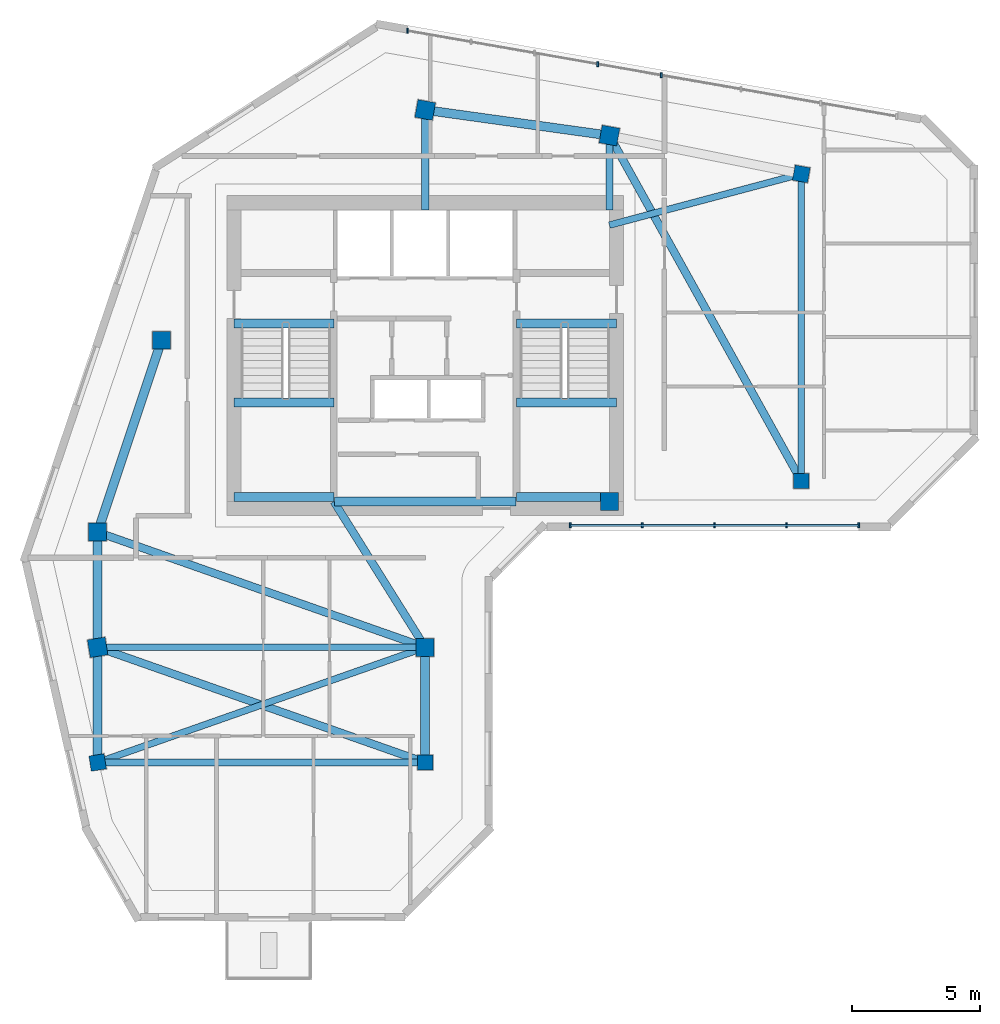
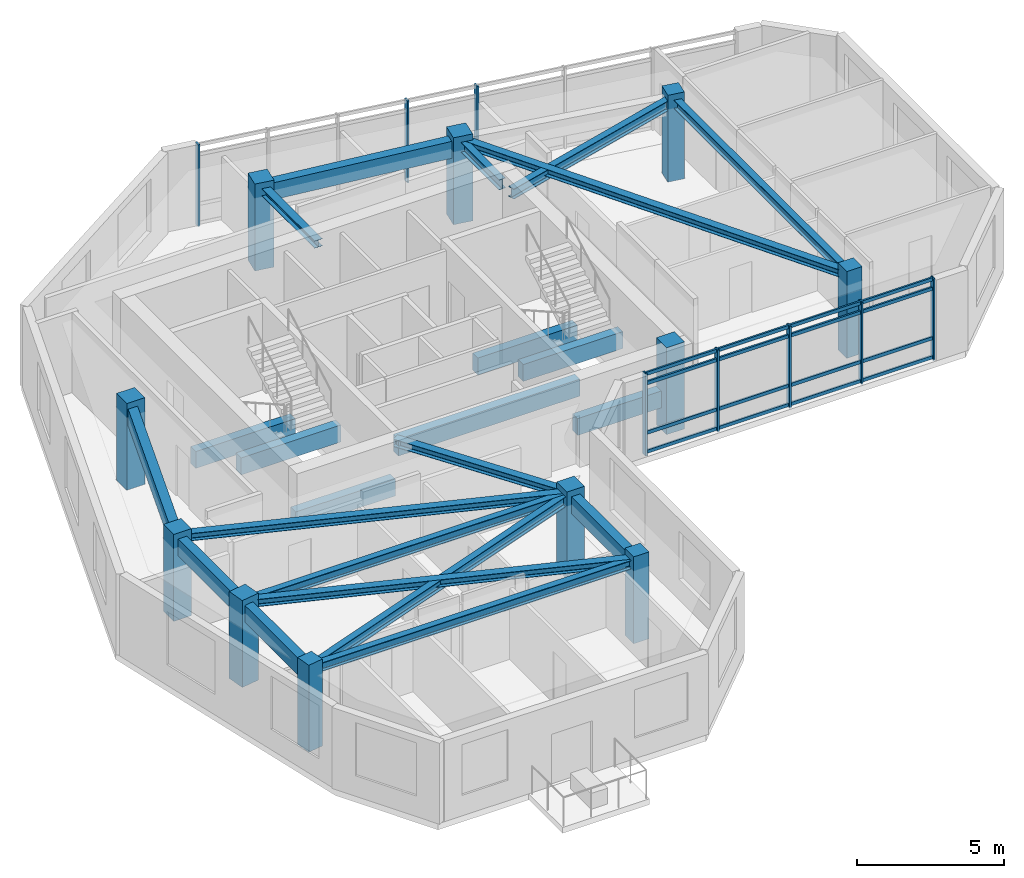
# One storey, part 1 of 10: 23 beams, 12 members, 11 columns, 2 elements without a shape of their own.
"""IFC4 building model written with IfcOpenShell, lengths in metres."""

from ifc_helpers import new_model, si_unit, direction, frame, origin, origin_2d, place, context, subcontext, project, spatial, rectangle, i_section, extrude, source, transform, mapped, material, material_profile, profile_set, type_object, element, aggregate, save


model = new_model("IFC4")

# Units and contexts
model_context = context("Model", 3, precision=1e-05, world=origin(), true_north=direction((0.0, 1.0)))
body_context = subcontext(model_context, "Body", "Model", "MODEL_VIEW")
ifc_project = project(units=[si_unit("LENGTHUNIT", "METRE"), si_unit("AREAUNIT", "SQUARE_METRE"), si_unit("VOLUMEUNIT", "CUBIC_METRE"), si_unit("PLANEANGLEUNIT", "RADIAN"), si_unit("MASSUNIT", "GRAM", prefix="KILO")], contexts=[model_context])

# Site, building, storey
site_placement = place(None, origin())
site = spatial("IfcSite", under=ifc_project, at=site_placement, CompositionType="ELEMENT")
building_placement = place(site_placement, origin())
building = spatial("IfcBuilding", under=site, at=building_placement, Name="Calvemar Wedge Station Tower", CompositionType="ELEMENT")
storey_placement = place(building_placement, frame((0.0, 0.0, 256.5)))
storey = spatial("IfcBuildingStorey", under=building, at=storey_placement, Name="L65", CompositionType="ELEMENT", Elevation=256.5)

# Columns
ifc_material_1 = material(Name="Concrete C50", Category="concrete")
ifc_material_profile_1 = material_profile(ifc_material_1, rectangle(XDim=0.699951171875, YDim=0.699951171875, at=origin_2d()), Name="RC700x700")
ifc_profile_set_1 = profile_set([ifc_material_profile_1], Name="Concrete C50")
column_type_1 = type_object("IfcColumnType", Name="COL-C7-700", PredefinedType="COLUMN", material=ifc_profile_set_1)
shared_shape_1 = source(origin(), body_context, "Body", "SweptSolid", [
    extrude(rectangle(XDim=0.699951171875, YDim=0.699951171875, at=origin_2d()), origin(), (0.0, 0.0, 1.0), 3.60009765625),
])
for number, where, z_axis, x_axis, name in (
    (1, (11.0, 33.0, 0.0), (0.0, 0.0, 1.0), (1.0, 0.0, 0.0), "Storey L65 Column T-NW1"),
    (2, (13.5, 40.5, 0.0), (0.0, 0.0, 1.0), (1.0, 0.0, 0.0), "Storey L65 Column T-NW2"),
    (3, (23.800048828125, 49.5, 0.0), (0.0, 0.0, 1.0), (0.984195607969, -0.17708474032, 0.0), "Storey L65 Column T-N1"),
    (4, (31.0, 48.5, 0.0), (0.0, 0.0, 1.0), (0.984195607969, -0.17708474032, 0.0), "Storey L65 Column T-N2"),
    (5, (31.0, 34.199951171875, 0.0), (0.0, 0.0, 1.0), (1.0, 0.0, 0.0), "Storey L65 Column T-NL1"),
    (6, (11.0, 28.5, 0.0), (0.0, 0.0, 1.0), (0.158158067254, -0.987413806751, 0.0), "Storey L65 Column T-SW1"),
    (7, (23.800048828125, 28.5, 0.0), (0.0, 0.0, 1.0), (1.0, 0.0, 0.0), "Storey L65 Column T-SE1"),
):
    element("IfcColumn", number, at=place(storey_placement, frame(where, z_axis=z_axis, x_axis=x_axis)), inside=storey, type_object=column_type_1, Name=name, PredefinedType="COLUMN", context=body_context, shape_type="MappedRepresentation", body=[
        mapped(shared_shape_1, transform((0.0, 0.0, 0.0), scale=1.0)),
    ])
ifc_material_profile_2 = material_profile(ifc_material_1, rectangle(XDim=0.60009765625, YDim=0.60009765625, at=origin_2d()), Name="RC600x600")
ifc_profile_set_2 = profile_set([ifc_material_profile_2], Name="Concrete C50")
column_type_2 = type_object("IfcColumnType", Name="COL-C8-600", PredefinedType="COLUMN", material=ifc_profile_set_2)
shared_shape_2 = source(origin(), body_context, "Body", "SweptSolid", [
    extrude(rectangle(XDim=0.60009765625, YDim=0.60009765625, at=origin_2d()), origin(), (0.0, 0.0, 1.0), 3.60009765625),
])
for number, where, z_axis, x_axis, name in (
    (8, (38.5, 47.0, 0.0), (0.0, 0.0, 1.0), (0.984195607969, -0.17708474032, 0.0), "Storey L65 Column T-NU3"),
    (9, (38.5, 35.0, 0.0), (0.0, 0.0, 1.0), (1.0, 0.0, 0.0), "Storey L65 Column T-NL2"),
    (10, (11.0, 24.0, 0.0), (0.0, 0.0, 1.0), (0.158158067254, -0.987413806751, 0.0), "Storey L65 Column T-SW2"),
    (11, (23.800048828125, 24.0, 0.0), (0.0, 0.0, 1.0), (1.0, 0.0, 0.0), "Storey L65 Column T-SE2"),
):
    element("IfcColumn", number, at=place(storey_placement, frame(where, z_axis=z_axis, x_axis=x_axis)), inside=storey, type_object=column_type_2, Name=name, PredefinedType="COLUMN", context=body_context, shape_type="MappedRepresentation", body=[
        mapped(shared_shape_2, transform((0.0, 0.0, 0.0), scale=1.0)),
    ])

# Beams
ifc_material_2 = material(Name="Concrete C70", Category="concrete")
ifc_material_profile_3 = material_profile(ifc_material_2, rectangle(XDim=0.35009765625, YDim=0.699951171875, at=origin_2d()), Name="RC350x700")
ifc_profile_set_3 = profile_set([ifc_material_profile_3], Name="Concrete C70")
beam_type_1 = type_object("IfcBeamType", Name="BM-LN1-700", PredefinedType="LINTEL", material=ifc_profile_set_3)
shared_shape_3 = source(origin(), body_context, "Body", "SweptSolid", [
    extrude(rectangle(XDim=0.35009765625, YDim=0.699951171875, at=origin_2d()), origin(), (0.0, 0.0, 1.0), 7.10009765625),
])
beam_1_placement = place(storey_placement, frame((20.25, 34.199951171875, 3.0), z_axis=(1.0, 0.0, 0.0), x_axis=(0.0, 1.0, 0.0)))
element("IfcBeam", 12, at=beam_1_placement, inside=storey, type_object=beam_type_1, Name="Storey L65 Core Coupling Lintel South", PredefinedType="LINTEL", context=body_context, shape_type="MappedRepresentation", body=[
    mapped(shared_shape_3, transform((0.0, 0.0, 0.0), scale=1.0)),
])
ifc_material_3 = material(Name="Structural steel ASTM A572 Grade 50", Category="steel")
ifc_material_profile_4 = material_profile(ifc_material_3, i_section(OverallWidth=0.304931640625, OverallDepth=0.30810546875, WebThickness=0.010009765625, FlangeThickness=0.015380859375, FilletRadius=0.014892578125, at=origin_2d()), Name="W310x97")
ifc_profile_set_4 = profile_set([ifc_material_profile_4], Name="Structural steel ASTM A572 Grade 50")
beam_type_2 = type_object("IfcBeamType", Name="BM-J6-W310", PredefinedType="JOIST", material=ifc_profile_set_4)
shared_shape_4 = source(origin(), body_context, "Body", "SweptSolid", [
    extrude(i_section(OverallWidth=0.304931640625, OverallDepth=0.30810546875, WebThickness=0.010009765625, FlangeThickness=0.015380859375, FilletRadius=0.014892578125, at=origin_2d()), origin(), (0.0, 0.0, 1.0), 15.443359375),
])
beam_2_placement = place(storey_placement, frame((31.0, 48.5, 3.196044921875), z_axis=(0.485642931179, -0.874157276122, 0.0), x_axis=(0.874157276122, 0.485642931179, 0.0)))
element("IfcBeam", 13, at=beam_2_placement, inside=storey, type_object=beam_type_2, Name="Storey L65 Floor Beam T-N2-T-NL2", PredefinedType="JOIST", context=body_context, shape_type="MappedRepresentation", body=[
    mapped(shared_shape_4, transform((0.0, 0.0, 0.0), scale=1.0)),
])
shared_shape_5 = source(origin(), body_context, "Body", "SweptSolid", [
    extrude(i_section(OverallWidth=0.304931640625, OverallDepth=0.30810546875, WebThickness=0.010009765625, FlangeThickness=0.015380859375, FilletRadius=0.014892578125, at=origin_2d()), origin(), (0.0, 0.0, 1.0), 13.568115234375),
])
for number, where, z_axis, x_axis, name in (
    (14, (11.0, 33.0, 3.196044921875), (0.943398221169, -0.331662171939, 0.0), (0.331662171939, 0.943398221169, 0.0), "Storey L65 Floor Beam T-NW1-T-SE1"),
    (15, (11.0, 28.5, 3.196044921875), (0.943398221169, -0.331662171939, 0.0), (0.331662171939, 0.943398221169, 0.0), "Storey L65 Floor Beam T-SW1-T-SE2"),
):
    element("IfcBeam", number, at=place(storey_placement, frame(where, z_axis=z_axis, x_axis=x_axis)), inside=storey, type_object=beam_type_2, Name=name, PredefinedType="JOIST", context=body_context, shape_type="MappedRepresentation", body=[
        mapped(shared_shape_5, transform((0.0, 0.0, 0.0), scale=1.0)),
    ])
ifc_material_profile_5 = material_profile(ifc_material_3, i_section(OverallWidth=0.260986328125, OverallDepth=0.419921875, WebThickness=0.01171875, FlangeThickness=0.019287109375, FilletRadius=0.012939453125, at=origin_2d()), Name="W410x114")
ifc_profile_set_5 = profile_set([ifc_material_profile_5], Name="Structural steel ASTM A572 Grade 50")
beam_type_3 = type_object("IfcBeamType", Name="BM-J2-W410H", PredefinedType="JOIST", material=ifc_profile_set_5)
shared_shape_6 = source(origin(), body_context, "Body", "SweptSolid", [
    extrude(i_section(OverallWidth=0.260986328125, OverallDepth=0.419921875, WebThickness=0.01171875, FlangeThickness=0.019287109375, FilletRadius=0.012939453125, at=origin_2d()), origin(), (0.0, 0.0, 1.0), 13.568115234375),
])
beam_3_placement = place(storey_placement, frame((23.800048828125, 28.5, 3.139892578125), z_axis=(-0.943398221169, -0.331662171939, 0.0), x_axis=(0.331662171939, -0.943398221169, 0.0)))
element("IfcBeam", 16, at=beam_3_placement, inside=storey, type_object=beam_type_3, Name="Storey L65 Floor Beam T-SE1-T-SW2", PredefinedType="JOIST", context=body_context, shape_type="MappedRepresentation", body=[
    mapped(shared_shape_6, transform((0.0, 0.0, 0.0), scale=1.0)),
])
shared_shape_7 = source(origin(), body_context, "Body", "SweptSolid", [
    extrude(i_section(OverallWidth=0.260986328125, OverallDepth=0.419921875, WebThickness=0.01171875, FlangeThickness=0.019287109375, FilletRadius=0.012939453125, at=origin_2d()), origin(), (0.0, 0.0, 1.0), 7.76220703125),
])
beam_4_placement = place(storey_placement, frame((31.0, 45.0, 3.139892578125), z_axis=(0.966234939601, 0.25766265056, 0.0), x_axis=(-0.25766265056, 0.966234939601, 0.0)))
element("IfcBeam", 17, at=beam_4_placement, inside=storey, type_object=beam_type_3, Name="Storey L65 Core-to-Column Joist CJ-E2", PredefinedType="JOIST", context=body_context, shape_type="MappedRepresentation", body=[
    mapped(shared_shape_7, transform((0.0, 0.0, 0.0), scale=1.0)),
])
shared_shape_8 = source(origin(), body_context, "Body", "SweptSolid", [
    extrude(i_section(OverallWidth=0.304931640625, OverallDepth=0.30810546875, WebThickness=0.010009765625, FlangeThickness=0.015380859375, FilletRadius=0.014892578125, at=origin_2d()), origin(), (0.0, 0.0, 1.0), 3.89990234375),
])
beam_5_placement = place(storey_placement, frame((23.800048828125, 45.60009765625, 3.196044921875), z_axis=(0.0, 1.0, 0.0), x_axis=(-1.0, 0.0, 0.0)))
element("IfcBeam", 18, at=beam_5_placement, inside=storey, type_object=beam_type_2, Name="Storey L65 Core-to-Column Joist CJ-N1", PredefinedType="JOIST", context=body_context, shape_type="MappedRepresentation", body=[
    mapped(shared_shape_8, transform((0.0, 0.0, 0.0), scale=1.0)),
])
shared_shape_9 = source(origin(), body_context, "Body", "SweptSolid", [
    extrude(i_section(OverallWidth=0.260986328125, OverallDepth=0.419921875, WebThickness=0.01171875, FlangeThickness=0.019287109375, FilletRadius=0.012939453125, at=origin_2d()), origin(), (0.0, 0.0, 1.0), 2.89990234375),
])
beam_6_placement = place(storey_placement, frame((31.0, 45.60009765625, 3.139892578125), z_axis=(0.0, 1.0, 0.0), x_axis=(-1.0, 0.0, 0.0)))
element("IfcBeam", 19, at=beam_6_placement, inside=storey, type_object=beam_type_3, Name="Storey L65 Core-to-Column Joist CJ-N2", PredefinedType="JOIST", context=body_context, shape_type="MappedRepresentation", body=[
    mapped(shared_shape_9, transform((0.0, 0.0, 0.0), scale=1.0)),
])
shared_shape_10 = source(origin(), body_context, "Body", "SweptSolid", [
    extrude(i_section(OverallWidth=0.304931640625, OverallDepth=0.30810546875, WebThickness=0.010009765625, FlangeThickness=0.015380859375, FilletRadius=0.014892578125, at=origin_2d()), origin(), (0.0, 0.0, 1.0), 6.7255859375),
])
beam_7_placement = place(storey_placement, frame((20.22998046875, 34.199951171875, 3.196044921875), z_axis=(0.530811158438, -0.847490126242, 0.0), x_axis=(0.847490126242, 0.530811158438, 0.0)))
element("IfcBeam", 20, at=beam_7_placement, inside=storey, type_object=beam_type_2, Name="Storey L65 Core-to-Column Joist CJ-S2", PredefinedType="JOIST", context=body_context, shape_type="MappedRepresentation", body=[
    mapped(shared_shape_10, transform((0.0, 0.0, 0.0), scale=1.0)),
])
ifc_material_profile_6 = material_profile(ifc_material_1, rectangle(XDim=0.35009765625, YDim=0.699951171875, at=origin_2d()), Name="RC350x700")
ifc_profile_set_6 = profile_set([ifc_material_profile_6], Name="Concrete C50")
beam_type_4 = type_object("IfcBeamType", Name="BM-SP2-700", PredefinedType="SPANDREL", material=ifc_profile_set_6)
shared_shape_11 = source(origin(), body_context, "Body", "SweptSolid", [
    extrude(rectangle(XDim=0.35009765625, YDim=0.699951171875, at=origin_2d()), origin(), (0.0, 0.0, 1.0), 7.90576171875),
])
beam_8_placement = place(storey_placement, frame((11.0, 33.0, 3.0), z_axis=(0.316227766017, 0.948683298051, 0.0), x_axis=(-0.948683298051, 0.316227766017, 0.0)))
element("IfcBeam", 21, at=beam_8_placement, inside=storey, type_object=beam_type_4, Name="Storey L65 Spandrel T-NW1-T-NW2", PredefinedType="SPANDREL", context=body_context, shape_type="MappedRepresentation", body=[
    mapped(shared_shape_11, transform((0.0, 0.0, 0.0), scale=1.0)),
])
shared_shape_12 = source(origin(), body_context, "Body", "SweptSolid", [
    extrude(rectangle(XDim=0.35009765625, YDim=0.699951171875, at=origin_2d()), origin(), (0.0, 0.0, 1.0), 7.26904296875),
])
beam_9_placement = place(storey_placement, frame((23.800048828125, 49.5, 3.0), z_axis=(0.990492146053, -0.13756928657, 0.0), x_axis=(0.13756928657, 0.990492146053, 0.0)))
element("IfcBeam", 22, at=beam_9_placement, inside=storey, type_object=beam_type_4, Name="Storey L65 Spandrel T-N1-T-N2", PredefinedType="SPANDREL", context=body_context, shape_type="MappedRepresentation", body=[
    mapped(shared_shape_12, transform((0.0, 0.0, 0.0), scale=1.0)),
])
shared_shape_13 = source(origin(), body_context, "Body", "SweptSolid", [
    extrude(rectangle(XDim=0.35009765625, YDim=0.699951171875, at=origin_2d()), origin(), (0.0, 0.0, 1.0), 4.5),
])
for number, where, z_axis, x_axis, name in (
    (23, (11.0, 33.0, 3.0), (0.0, -1.0, 0.0), (1.0, 0.0, 0.0), "Storey L65 Spandrel T-NW1-T-SW1"),
    (24, (11.0, 28.5, 3.0), (0.0, -1.0, 0.0), (1.0, 0.0, 0.0), "Storey L65 Spandrel T-SW1-T-SW2"),
    (25, (23.800048828125, 28.5, 3.0), (0.0, -1.0, 0.0), (1.0, 0.0, 0.0), "Storey L65 Spandrel T-SE1-T-SE2"),
):
    element("IfcBeam", number, at=place(storey_placement, frame(where, z_axis=z_axis, x_axis=x_axis)), inside=storey, type_object=beam_type_4, Name=name, PredefinedType="SPANDREL", context=body_context, shape_type="MappedRepresentation", body=[
        mapped(shared_shape_13, transform((0.0, 0.0, 0.0), scale=1.0)),
    ])
shared_shape_14 = source(origin(), body_context, "Body", "SweptSolid", [
    extrude(rectangle(XDim=0.35009765625, YDim=0.699951171875, at=origin_2d()), origin(), (0.0, 0.0, 1.0), 3.905029296875),
])
for number, where, z_axis, x_axis, name in (
    (26, (16.324951171875, 41.14990234375, -0.35009765625), (1.0, 0.0, 0.0), (0.0, 1.0, 0.0), "Storey L65 Stair ST-C1 Landing Trimmer Beam"),
    (27, (16.324951171875, 34.3798828125, 1.25), (1.0, 0.0, 0.0), (0.0, 1.0, 0.0), "Storey L65 Stair ST-C1 Half-Landing Beam 1A"),
    (28, (16.324951171875, 38.070068359375, 1.25), (1.0, 0.0, 0.0), (0.0, 1.0, 0.0), "Storey L65 Stair ST-C1 Half-Landing Beam 1B"),
):
    element("IfcBeam", number, at=place(storey_placement, frame(where, z_axis=z_axis, x_axis=x_axis)), inside=storey, type_object=beam_type_1, Name=name, PredefinedType="LINTEL", context=body_context, shape_type="MappedRepresentation", body=[
        mapped(shared_shape_14, transform((0.0, 0.0, 0.0), scale=1.0)),
    ])
shared_shape_15 = source(origin(), body_context, "Body", "SweptSolid", [
    extrude(rectangle(XDim=0.35009765625, YDim=0.699951171875, at=origin_2d()), origin(), (0.0, 0.0, 1.0), 3.90478515625),
])
for number, where, z_axis, x_axis, name in (
    (29, (27.3701171875, 41.14990234375, -0.35009765625), (1.0, 0.0, 0.0), (0.0, 1.0, 0.0), "Storey L65 Stair ST-C2 Landing Trimmer Beam"),
    (30, (27.3701171875, 34.3798828125, 1.25), (1.0, 0.0, 0.0), (0.0, 1.0, 0.0), "Storey L65 Stair ST-C2 Half-Landing Beam 1A"),
    (31, (27.3701171875, 38.070068359375, 1.25), (1.0, 0.0, 0.0), (0.0, 1.0, 0.0), "Storey L65 Stair ST-C2 Half-Landing Beam 1B"),
):
    element("IfcBeam", number, at=place(storey_placement, frame(where, z_axis=z_axis, x_axis=x_axis)), inside=storey, type_object=beam_type_1, Name=name, PredefinedType="LINTEL", context=body_context, shape_type="MappedRepresentation", body=[
        mapped(shared_shape_15, transform((0.0, 0.0, 0.0), scale=1.0)),
    ])
ifc_material_profile_7 = material_profile(ifc_material_3, i_section(OverallWidth=0.257080078125, OverallDepth=0.363037109375, WebThickness=0.012939453125, FlangeThickness=0.021728515625, FilletRadius=0.014892578125, at=origin_2d()), Name="W360x122")
ifc_profile_set_7 = profile_set([ifc_material_profile_7], Name="Structural steel ASTM A572 Grade 50")
beam_type_5 = type_object("IfcBeamType", Name="BM-J4-W360", PredefinedType="JOIST", material=ifc_profile_set_7)
shared_shape_16 = source(origin(), body_context, "Body", "SweptSolid", [
    extrude(i_section(OverallWidth=0.257080078125, OverallDepth=0.363037109375, WebThickness=0.012939453125, FlangeThickness=0.021728515625, FilletRadius=0.014892578125, at=origin_2d()), origin(), (0.0, 0.0, 1.0), 12.0),
])
beam_10_placement = place(storey_placement, frame((38.5, 47.0, 3.16845703125), z_axis=(0.0, -1.0, 0.0), x_axis=(1.0, 0.0, 0.0)))
element("IfcBeam", 32, at=beam_10_placement, inside=storey, type_object=beam_type_5, Name="Storey L65 Floor Beam T-NU3-T-NL2", PredefinedType="JOIST", context=body_context, shape_type="MappedRepresentation", body=[
    mapped(shared_shape_16, transform((0.0, 0.0, 0.0), scale=1.0)),
])
shared_shape_17 = source(origin(), body_context, "Body", "SweptSolid", [
    extrude(i_section(OverallWidth=0.257080078125, OverallDepth=0.363037109375, WebThickness=0.012939453125, FlangeThickness=0.021728515625, FilletRadius=0.014892578125, at=origin_2d()), origin(), (0.0, 0.0, 1.0), 12.800048828125),
])
for number, where, z_axis, x_axis, name in (
    (33, (11.0, 28.5, 3.16845703125), (1.0, 0.0, 0.0), (0.0, 1.0, 0.0), "Storey L65 Floor Beam T-SW1-T-SE1"),
    (34, (11.0, 24.0, 3.16845703125), (1.0, 0.0, 0.0), (0.0, 1.0, 0.0), "Storey L65 Floor Beam T-SW2-T-SE2"),
):
    element("IfcBeam", number, at=place(storey_placement, frame(where, z_axis=z_axis, x_axis=x_axis)), inside=storey, type_object=beam_type_5, Name=name, PredefinedType="JOIST", context=body_context, shape_type="MappedRepresentation", body=[
        mapped(shared_shape_17, transform((0.0, 0.0, 0.0), scale=1.0)),
    ])

# Curtain wall, members
ifc_material_4 = material(Name="Anodised aluminium 6063-T6", Category="aluminium")
curtain_wall_type = type_object("IfcCurtainWallType", Name="CW4", PredefinedType="NOTDEFINED", material=ifc_material_4)
curtain_wall_1_placement = place(storey_placement, origin())
curtain_wall_1 = element("IfcCurtainWall", 35, at=curtain_wall_1_placement, inside=storey, type_object=curtain_wall_type, Name="Storey L65 CW4 Recessed Unitised Curtain Wall 6", PredefinedType="NOTDEFINED")
ifc_material_profile_8 = material_profile(ifc_material_4, rectangle(XDim=0.070068359375, YDim=0.139892578125, at=origin_2d()), Name="AL-TRN-70x140")
ifc_profile_set_8 = profile_set([ifc_material_profile_8], Name="Anodised aluminium 6063-T6")
member_type_1 = type_object("IfcMemberType", Name="CW4-TRN", PredefinedType="USERDEFINED", material=ifc_profile_set_8)
shared_shape_18 = source(origin(), body_context, "Body", "SweptSolid", [
    extrude(rectangle(XDim=0.070068359375, YDim=0.139892578125, at=origin_2d()), origin(), (0.0, 0.0, 1.0), 11.267822265625),
])
member_1_placement = place(storey_placement, frame((29.469970703125, 33.26611328125, 0.06005859375), z_axis=(1.0, 0.0, 0.0), x_axis=(0.0, 1.0, 0.0)))
member_1 = element("IfcMember", 36, at=member_1_placement, type_object=member_type_1, Name="CW4 transom 1", ObjectType="TRANSOM", PredefinedType="USERDEFINED", context=body_context, shape_type="MappedRepresentation", body=[
    mapped(shared_shape_18, transform((0.0, 0.0, 0.0), scale=1.0)),
])
member_2_placement = place(storey_placement, frame((29.469970703125, 33.26611328125, 0.85009765625), z_axis=(1.0, 0.0, 0.0), x_axis=(0.0, 1.0, 0.0)))
member_2 = element("IfcMember", 37, at=member_2_placement, type_object=member_type_1, Name="CW4 transom 2", ObjectType="TRANSOM", PredefinedType="USERDEFINED", context=body_context, shape_type="MappedRepresentation", body=[
    mapped(shared_shape_18, transform((0.0, 0.0, 0.0), scale=1.0)),
])
member_3_placement = place(storey_placement, frame((29.469970703125, 33.26611328125, 2.89990234375), z_axis=(1.0, 0.0, 0.0), x_axis=(0.0, 1.0, 0.0)))
member_3 = element("IfcMember", 38, at=member_3_placement, type_object=member_type_1, Name="CW4 transom 3", ObjectType="TRANSOM", PredefinedType="USERDEFINED", context=body_context, shape_type="MappedRepresentation", body=[
    mapped(shared_shape_18, transform((0.0, 0.0, 0.0), scale=1.0)),
])
member_4_placement = place(storey_placement, frame((29.469970703125, 33.26611328125, 3.2900390625), z_axis=(1.0, 0.0, 0.0), x_axis=(0.0, 1.0, 0.0)))
member_4 = element("IfcMember", 39, at=member_4_placement, type_object=member_type_1, Name="CW4 transom 4", ObjectType="TRANSOM", PredefinedType="USERDEFINED", context=body_context, shape_type="MappedRepresentation", body=[
    mapped(shared_shape_18, transform((0.0, 0.0, 0.0), scale=1.0)),
])
ifc_material_profile_9 = material_profile(ifc_material_4, rectangle(XDim=0.070068359375, YDim=0.199951171875, at=origin_2d()), Name="AL-MUL-70x200")
ifc_profile_set_9 = profile_set([ifc_material_profile_9], Name="Anodised aluminium 6063-T6")
member_type_2 = type_object("IfcMemberType", Name="CW4-MUL", PredefinedType="MULLION", material=ifc_profile_set_9)
shared_shape_19 = source(origin(), body_context, "Body", "SweptSolid", [
    extrude(rectangle(XDim=0.070068359375, YDim=0.199951171875, at=origin_2d()), origin(), (0.0, 0.0, 1.0), 3.400146484375),
])
member_5_placement = place(storey_placement, frame((29.469970703125, 33.26611328125, -0.050048828125), z_axis=(0.0, 0.0, 1.0), x_axis=(1.0, 0.0, 0.0)))
member_5 = element("IfcMember", 40, at=member_5_placement, type_object=member_type_2, Name="CW4 mullion 1", PredefinedType="MULLION", context=body_context, shape_type="MappedRepresentation", body=[
    mapped(shared_shape_19, transform((0.0, 0.0, 0.0), scale=1.0)),
])
member_6_placement = place(storey_placement, frame((32.286865234375, 33.26611328125, -0.050048828125), z_axis=(0.0, 0.0, 1.0), x_axis=(1.0, 0.0, 0.0)))
member_6 = element("IfcMember", 41, at=member_6_placement, type_object=member_type_2, Name="CW4 mullion 2", PredefinedType="MULLION", context=body_context, shape_type="MappedRepresentation", body=[
    mapped(shared_shape_19, transform((0.0, 0.0, 0.0), scale=1.0)),
])
member_7_placement = place(storey_placement, frame((35.10400390625, 33.26611328125, -0.050048828125), z_axis=(0.0, 0.0, 1.0), x_axis=(1.0, 0.0, 0.0)))
member_7 = element("IfcMember", 42, at=member_7_placement, type_object=member_type_2, Name="CW4 mullion 3", PredefinedType="MULLION", context=body_context, shape_type="MappedRepresentation", body=[
    mapped(shared_shape_19, transform((0.0, 0.0, 0.0), scale=1.0)),
])
member_8_placement = place(storey_placement, frame((37.9208984375, 33.26611328125, -0.050048828125), z_axis=(0.0, 0.0, 1.0), x_axis=(1.0, 0.0, 0.0)))
member_8 = element("IfcMember", 43, at=member_8_placement, type_object=member_type_2, Name="CW4 mullion 4", PredefinedType="MULLION", context=body_context, shape_type="MappedRepresentation", body=[
    mapped(shared_shape_19, transform((0.0, 0.0, 0.0), scale=1.0)),
])
member_9_placement = place(storey_placement, frame((40.73779296875, 33.26611328125, -0.050048828125), z_axis=(0.0, 0.0, 1.0), x_axis=(1.0, 0.0, 0.0)))
member_9 = element("IfcMember", 44, at=member_9_placement, type_object=member_type_2, Name="CW4 mullion 5", PredefinedType="MULLION", context=body_context, shape_type="MappedRepresentation", body=[
    mapped(shared_shape_19, transform((0.0, 0.0, 0.0), scale=1.0)),
])
aggregate(curtain_wall_1, [member_5, member_6, member_7, member_8, member_9, member_1, member_2, member_3, member_4])

curtain_wall_2_placement = place(storey_placement, origin())
curtain_wall_2 = element("IfcCurtainWall", 45, at=curtain_wall_2_placement, inside=storey, type_object=curtain_wall_type, Name="Storey L65 CW4 Recessed Unitised Curtain Wall 10", PredefinedType="NOTDEFINED")
member_10_placement = place(storey_placement, frame((33.021484375, 50.8583984375, -0.050048828125), z_axis=(0.0, 0.0, 1.0), x_axis=(1.0, 0.0, 0.0)))
member_10 = element("IfcMember", 46, at=member_10_placement, type_object=member_type_2, Name="CW4 mullion 4", PredefinedType="MULLION", context=body_context, shape_type="MappedRepresentation", body=[
    mapped(shared_shape_19, transform((0.0, 0.0, 0.0), scale=1.0)),
])
member_11_placement = place(storey_placement, frame((30.546630859375, 51.29150390625, -0.050048828125), z_axis=(0.0, 0.0, 1.0), x_axis=(1.0, 0.0, 0.0)))
member_11 = element("IfcMember", 47, at=member_11_placement, type_object=member_type_2, Name="CW4 mullion 5", PredefinedType="MULLION", context=body_context, shape_type="MappedRepresentation", body=[
    mapped(shared_shape_19, transform((0.0, 0.0, 0.0), scale=1.0)),
])
member_12_placement = place(storey_placement, frame((23.104736328125, 52.593505859375, -0.050048828125), z_axis=(0.0, 0.0, 1.0), x_axis=(1.0, 0.0, 0.0)))
member_12 = element("IfcMember", 48, at=member_12_placement, type_object=member_type_2, Name="CW4 mullion 8", PredefinedType="MULLION", context=body_context, shape_type="MappedRepresentation", body=[
    mapped(shared_shape_19, transform((0.0, 0.0, 0.0), scale=1.0)),
])
aggregate(curtain_wall_2, [member_10, member_11, member_12])

save(model, "model.ifc")
